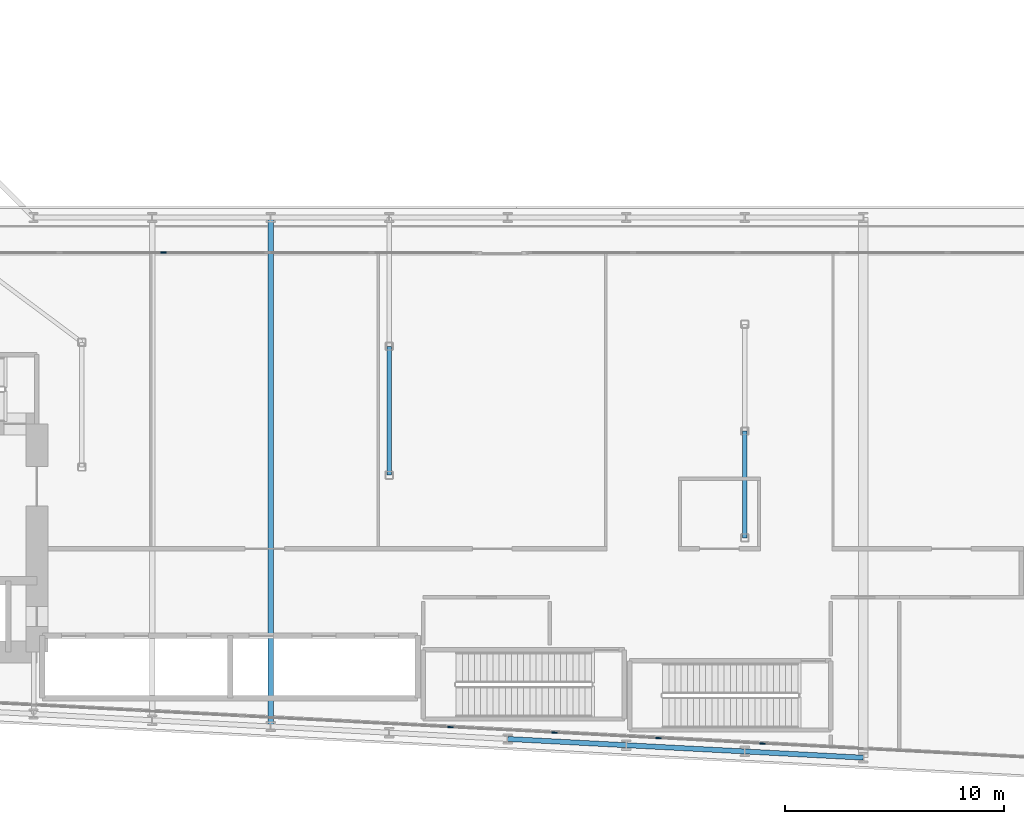
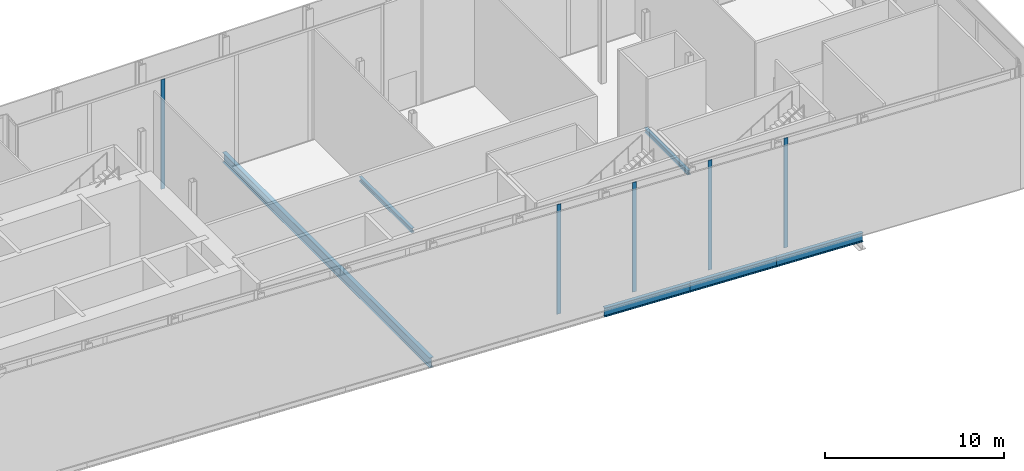
# One storey, part 7 of 36: 6 beams, 5 members, 2 elements without a shape of their own.
"""IFC4 building model written with IfcOpenShell, lengths in metres."""

from ifc_helpers import new_model, si_unit, direction, frame, origin, origin_2d, place, context, subcontext, project, spatial, rectangle, i_section, extrude, material, layer, layer_set, material_profile, profile_set, type_object, element, aggregate, save


model = new_model("IFC4")

# Units and contexts
model_context = context("Model", 3, precision=1e-05, world=origin(), true_north=direction((0.0, 1.0)))
body_context = subcontext(model_context, "Body", "Model", "MODEL_VIEW")
ifc_project = project(units=[si_unit("LENGTHUNIT", "METRE"), si_unit("AREAUNIT", "SQUARE_METRE"), si_unit("VOLUMEUNIT", "CUBIC_METRE"), si_unit("PLANEANGLEUNIT", "RADIAN"), si_unit("MASSUNIT", "GRAM", prefix="KILO")], contexts=[model_context])

# Site, building, storey
site_placement = place(None, origin())
site = spatial("IfcSite", under=ifc_project, at=site_placement, CompositionType="ELEMENT")
building_placement = place(site_placement, origin())
building = spatial("IfcBuilding", under=site, at=building_placement, Name="Kheshtan School and Residences Tower", CompositionType="ELEMENT")
storey_placement = place(building_placement, frame((0.0, 0.0, 81.199951171875)))
storey = spatial("IfcBuildingStorey", under=building, at=storey_placement, Name="L19", CompositionType="ELEMENT", Elevation=81.199951171875)

# Beams
ifc_material_1 = material(Name="Steel ASTM A992 Grade 50", Category="steel")
ifc_material_profile_1 = material_profile(ifc_material_1, i_section(OverallWidth=0.202880859375, OverallDepth=0.302978515625, WebThickness=0.007568359375, FlangeThickness=0.01318359375, FilletRadius=0.009033203125, at=origin_2d()), Name="W310x60")
ifc_profile_set_1 = profile_set([ifc_material_profile_1], Name="Steel ASTM A992 Grade 50")
beam_type_1 = type_object("IfcBeamType", Name="Beam FB1 W310x60 ASTM A992 Grade 50", PredefinedType="BEAM", material=ifc_profile_set_1)
beam_1_placement = place(storey_placement, frame((85.39990234375, 31.0048828125, -0.301513671875), z_axis=(0.0, 1.0, 0.0), x_axis=(-1.0, 0.0, 0.0)))
element("IfcBeam", 1, at=beam_1_placement, inside=storey, type_object=beam_type_1, Name="Floor beam IC", PredefinedType="BEAM", context=body_context, shape_type="SweptSolid", body=[
    extrude(i_section(OverallWidth=0.202880859375, OverallDepth=0.302978515625, WebThickness=0.007568359375, FlangeThickness=0.01318359375, FilletRadius=0.009033203125, at=origin_2d()), origin(), (0.0, 0.0, 1.0), 4.865234375),
])
beam_2_placement = place(storey_placement, frame((69.199951171875, 33.863037109375, -0.301513671875), z_axis=(0.0, 1.0, 0.0), x_axis=(-1.0, 0.0, 0.0)))
element("IfcBeam", 2, at=beam_2_placement, inside=storey, type_object=beam_type_1, Name="Floor beam IC", PredefinedType="BEAM", context=body_context, shape_type="SweptSolid", body=[
    extrude(i_section(OverallWidth=0.202880859375, OverallDepth=0.302978515625, WebThickness=0.007568359375, FlangeThickness=0.01318359375, FilletRadius=0.009033203125, at=origin_2d()), origin(), (0.0, 0.0, 1.0), 5.868896484375),
])
ifc_material_profile_2 = material_profile(ifc_material_1, i_section(OverallWidth=0.2529296875, OverallDepth=0.677978515625, WebThickness=0.01171875, FlangeThickness=0.016357421875, FilletRadius=0.0146484375, at=origin_2d()), Name="W690x125")
ifc_profile_set_2 = profile_set([ifc_material_profile_2], Name="Steel ASTM A992 Grade 50")
beam_type_2 = type_object("IfcBeamType", Name="Beam FB6 W690x125 ASTM A992 Grade 50", PredefinedType="BEAM", material=ifc_profile_set_2)
beam_3_placement = place(storey_placement, frame((63.800048828125, 22.410888671875, -0.489013671875), z_axis=(0.0, 1.0, 0.0), x_axis=(-1.0, 0.0, 0.0)))
element("IfcBeam", 3, at=beam_3_placement, inside=storey, type_object=beam_type_2, Name="Floor beam C016", PredefinedType="BEAM", context=body_context, shape_type="SweptSolid", body=[
    extrude(i_section(OverallWidth=0.2529296875, OverallDepth=0.677978515625, WebThickness=0.01171875, FlangeThickness=0.016357421875, FilletRadius=0.0146484375, at=origin_2d()), origin(), (0.0, 0.0, 1.0), 23.189208984375),
])
ifc_material_profile_3 = material_profile(ifc_material_1, i_section(OverallWidth=0.22998046875, OverallDepth=0.616943359375, WebThickness=0.01318359375, FlangeThickness=0.022216796875, FilletRadius=0.0185546875, at=origin_2d()), Name="W610x140")
ifc_profile_set_3 = profile_set([ifc_material_profile_3], Name="Steel ASTM A992 Grade 50")
beam_type_3 = type_object("IfcBeamType", Name="Beam SP1 W610x140 ASTM A992 Grade 50", PredefinedType="BEAM", material=ifc_profile_set_3)
beam_4_placement = place(storey_placement, frame((90.800048828125, 20.989990234375, -0.45849609375), z_axis=(-0.998620571751, 0.05250670125, 0.0), x_axis=(-0.05250670125, -0.998620571751, 0.0)))
element("IfcBeam", 4, at=beam_4_placement, inside=storey, type_object=beam_type_3, Name="Spandrel beam C006-C008", PredefinedType="BEAM", context=body_context, shape_type="SweptSolid", body=[
    extrude(i_section(OverallWidth=0.22998046875, OverallDepth=0.616943359375, WebThickness=0.01318359375, FlangeThickness=0.022216796875, FilletRadius=0.0185546875, at=origin_2d()), origin(), (0.0, 0.0, 1.0), 5.40771484375),
])
for number, where, z_axis, x_axis, name in (
    (5, (85.39990234375, 21.27392578125, -0.45849609375), (-0.998618078766, 0.052554093665, 0.0), (-0.052554093665, -0.998618078766, 0.0), "Spandrel beam C008-C012"),
    (6, (80.0, 21.55810546875, -0.45849609375), (-0.998610961136, 0.052689166816, 0.0), (-0.052689166816, -0.998610961136, 0.0), "Spandrel beam C012-C013"),
):
    element("IfcBeam", number, at=place(storey_placement, frame(where, z_axis=z_axis, x_axis=x_axis)), inside=storey, type_object=beam_type_3, Name=name, PredefinedType="BEAM", context=body_context, shape_type="SweptSolid", body=[
        extrude(i_section(OverallWidth=0.22998046875, OverallDepth=0.616943359375, WebThickness=0.01318359375, FlangeThickness=0.022216796875, FilletRadius=0.0185546875, at=origin_2d()), origin(), (0.0, 0.0, 1.0), 5.407470703125),
    ])

# Curtain wall, member
ifc_material_2 = material(Name="Clear low-e glass in thermally broken aluminium frame", Category="aluminium")
ifc_layer_1 = layer(ifc_material_2, 0.25)
ifc_layer_set_1 = layer_set([ifc_layer_1], Name="Curtain wall CW-G")
curtain_wall_type_1 = type_object("IfcCurtainWallType", Name="Curtain wall CW-G", PredefinedType="NOTDEFINED", material=ifc_layer_set_1)
curtain_wall_1_placement = place(storey_placement, origin())
curtain_wall_1 = element("IfcCurtainWall", 7, at=curtain_wall_1_placement, inside=storey, type_object=curtain_wall_type_1, Name="Curtain wall CWG5", PredefinedType="NOTDEFINED")
ifc_material_3 = material(Name="Thermally broken aluminium, dark bronze anodised", Category="aluminium")
ifc_material_profile_4 = material_profile(ifc_material_3, rectangle(XDim=0.06005859375, YDim=0.25, at=origin_2d()), Name="CW-G mullion 60x250")
ifc_profile_set_4 = profile_set([ifc_material_profile_4], Name="Thermally broken aluminium, dark bronze anodised")
member_type_1 = type_object("IfcMemberType", Name="CW-G mullion 60x250", PredefinedType="MULLION", material=ifc_profile_set_4)
member_1_placement = place(storey_placement, frame((58.909912109375, 44.0, 0.0), z_axis=(0.0, 0.0, 1.0), x_axis=(0.0, 1.0, 0.0)))
member_1 = element("IfcMember", 8, at=member_1_placement, type_object=member_type_1, Name="CWG5 mullion 3", PredefinedType="MULLION", context=body_context, shape_type="SweptSolid", body=[
    extrude(rectangle(XDim=0.06005859375, YDim=0.25, at=origin_2d()), origin(), (0.0, 0.0, 1.0), 7.489990234375),
])
aggregate(curtain_wall_1, [member_1])

# Curtain wall, members
ifc_layer_2 = layer(ifc_material_2, 0.25)
ifc_layer_set_2 = layer_set([ifc_layer_2], Name="Curtain wall CW-K")
curtain_wall_type_2 = type_object("IfcCurtainWallType", Name="Curtain wall CW-K", PredefinedType="NOTDEFINED", material=ifc_layer_set_2)
curtain_wall_2_placement = place(storey_placement, origin())
curtain_wall_2 = element("IfcCurtainWall", 9, at=curtain_wall_2_placement, inside=storey, type_object=curtain_wall_type_2, Name="Curtain wall CWK14", PredefinedType="NOTDEFINED")
ifc_material_profile_5 = material_profile(ifc_material_3, rectangle(XDim=0.06005859375, YDim=0.25, at=origin_2d()), Name="CW-K mullion 60x250")
ifc_profile_set_5 = profile_set([ifc_material_profile_5], Name="Thermally broken aluminium, dark bronze anodised")
member_type_2 = type_object("IfcMemberType", Name="CW-K mullion 60x250", PredefinedType="MULLION", material=ifc_profile_set_5)
member_2_placement = place(storey_placement, frame((86.210205078125, 21.6318359375, 0.0), z_axis=(0.0, 0.0, 1.0), x_axis=(-0.052569888839, -0.998617247391, 0.0)))
member_2 = element("IfcMember", 10, at=member_2_placement, type_object=member_type_2, Name="CWK14 mullion 4", PredefinedType="MULLION", context=body_context, shape_type="SweptSolid", body=[
    extrude(rectangle(XDim=0.06005859375, YDim=0.25, at=origin_2d()), origin(), (0.0, 0.0, 1.0), 7.489990234375),
])
member_3_placement = place(storey_placement, frame((81.46923828125, 21.88134765625, 0.0), z_axis=(0.0, 0.0, 1.0), x_axis=(-0.052569888839, -0.998617247391, 0.0)))
member_3 = element("IfcMember", 11, at=member_3_placement, type_object=member_type_2, Name="CWK14 mullion 5", PredefinedType="MULLION", context=body_context, shape_type="SweptSolid", body=[
    extrude(rectangle(XDim=0.06005859375, YDim=0.25, at=origin_2d()), origin(), (0.0, 0.0, 1.0), 7.489990234375),
])
member_4_placement = place(storey_placement, frame((76.728515625, 22.131103515625, 0.0), z_axis=(0.0, 0.0, 1.0), x_axis=(-0.052569888839, -0.998617247391, 0.0)))
member_4 = element("IfcMember", 12, at=member_4_placement, type_object=member_type_2, Name="CWK14 mullion 6", PredefinedType="MULLION", context=body_context, shape_type="SweptSolid", body=[
    extrude(rectangle(XDim=0.06005859375, YDim=0.25, at=origin_2d()), origin(), (0.0, 0.0, 1.0), 7.489990234375),
])
member_5_placement = place(storey_placement, frame((71.987548828125, 22.380615234375, 0.0), z_axis=(0.0, 0.0, 1.0), x_axis=(-0.052569888839, -0.998617247391, 0.0)))
member_5 = element("IfcMember", 13, at=member_5_placement, type_object=member_type_2, Name="CWK14 mullion 7", PredefinedType="MULLION", context=body_context, shape_type="SweptSolid", body=[
    extrude(rectangle(XDim=0.06005859375, YDim=0.25, at=origin_2d()), origin(), (0.0, 0.0, 1.0), 7.489990234375),
])
aggregate(curtain_wall_2, [member_2, member_3, member_4, member_5])

save(model, "model.ifc")
